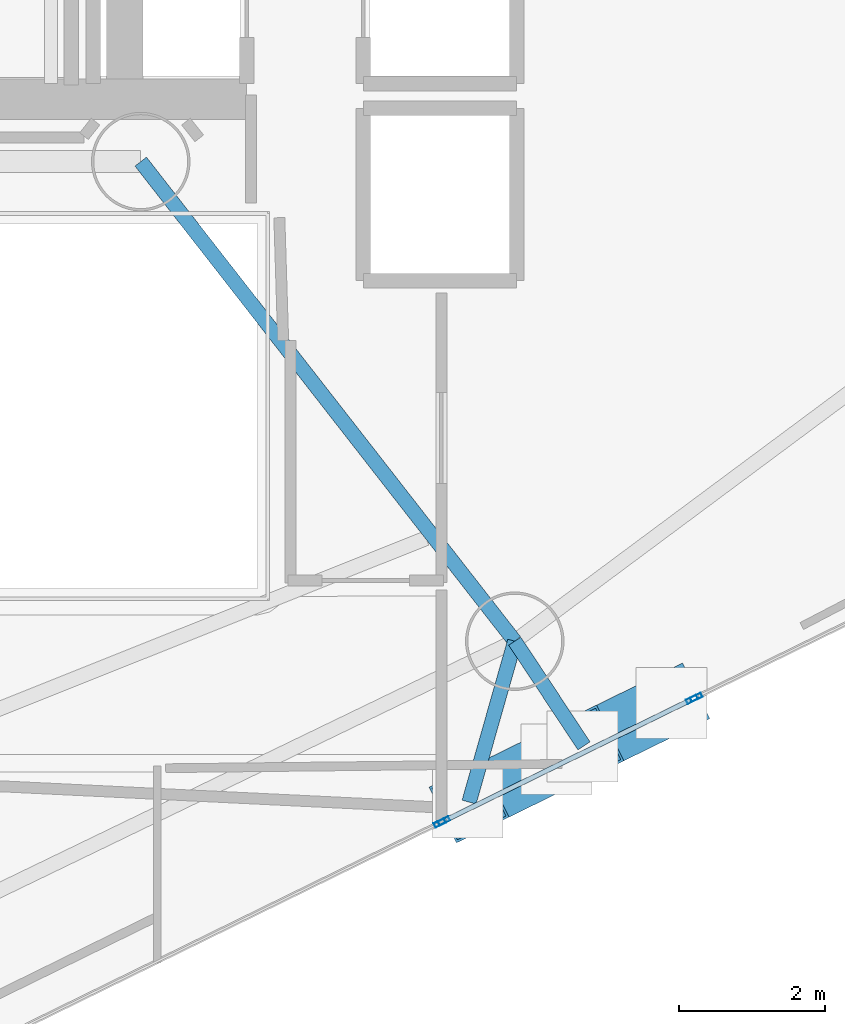
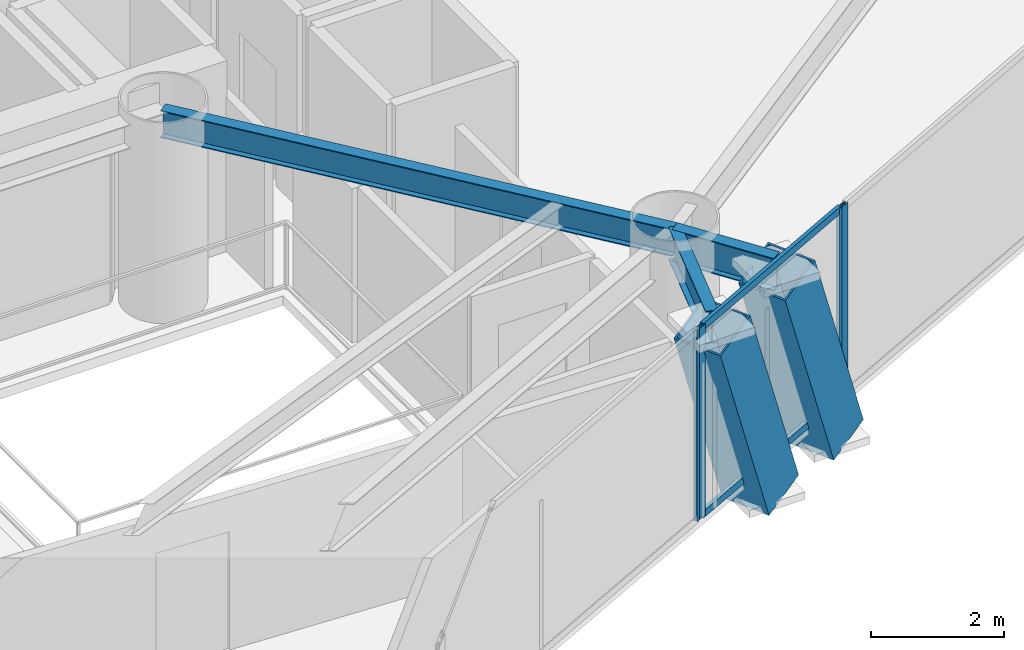
# One storey, part 6 of 22: 8 members, 3 beams, 3 elements without a shape of their own.
"""IFC4 building model written with IfcOpenShell, lengths in metres."""

from ifc_helpers import new_model, si_unit, direction, frame, origin, origin_2d, place, context, subcontext, project, spatial, hollow_rectangle, i_section, extrude, material, layer, layer_set, material_profile, profile_set, type_object, element, aggregate, save


model = new_model("IFC4")

# Units and contexts
model_context = context("Model", 3, precision=1e-05, world=origin(), true_north=direction((0.0, 1.0)))
body_context = subcontext(model_context, "Body", "Model", "MODEL_VIEW")
ifc_project = project(units=[si_unit("LENGTHUNIT", "METRE"), si_unit("AREAUNIT", "SQUARE_METRE"), si_unit("VOLUMEUNIT", "CUBIC_METRE"), si_unit("PLANEANGLEUNIT", "RADIAN"), si_unit("MASSUNIT", "GRAM", prefix="KILO")], contexts=[model_context])

# Site, building, storey
site_placement = place(None, origin())
site = spatial("IfcSite", under=ifc_project, at=site_placement, CompositionType="ELEMENT")
building_placement = place(site_placement, origin())
building = spatial("IfcBuilding", under=site, at=building_placement, Name="Qianvela Tower", CompositionType="ELEMENT")
storey_placement = place(building_placement, frame((0.0, 0.0, 158.699951171875)))
storey = spatial("IfcBuildingStorey", under=building, at=storey_placement, Name="L40", CompositionType="ELEMENT", Elevation=158.699951171875)

# Beams
ifc_material_1 = material(Name="Steel Q355B", Category="steel")
ifc_material_profile_1 = material_profile(ifc_material_1, i_section(OverallWidth=0.199951171875, OverallDepth=0.5, WebThickness=0.010009765625, FlangeThickness=0.01611328125, at=origin_2d()), Name="HN500x200x10x16")
ifc_profile_set_1 = profile_set([ifc_material_profile_1], Name="Steel Q355B")
beam_type_1 = type_object("IfcBeamType", Name="BM-HN500-GIRD", PredefinedType="BEAM", material=ifc_profile_set_1)
beam_1_placement = place(storey_placement, frame((38.39990234375, 23.85009765625, 3.26806640625), z_axis=(0.615000832816, -0.788526458424, 0.0), x_axis=(0.788526458424, 0.615000832816, 0.0)))
element("IfcBeam", 1, at=beam_1_placement, inside=storey, type_object=beam_type_1, Name="L40 Radial Primary Floor Girder 6", PredefinedType="BEAM", context=body_context, shape_type="SweptSolid", body=[
    extrude(i_section(OverallWidth=0.199951171875, OverallDepth=0.5, WebThickness=0.010009765625, FlangeThickness=0.01611328125, at=origin_2d()), origin(), (0.0, 0.0, 1.0), 8.333251953125),
])
ifc_material_2 = material(Name="Steel Q355B", Category="steel")
ifc_material_profile_2 = material_profile(ifc_material_2, i_section(OverallWidth=0.199951171875, OverallDepth=0.60009765625, WebThickness=0.010986328125, FlangeThickness=0.01708984375, at=origin_2d()), Name="HN600x200x11x17")
ifc_profile_set_2 = profile_set([ifc_material_profile_2], Name="Steel Q355B")
beam_type_2 = type_object("IfcBeamType", Name="BM-HN600-GIRD", PredefinedType="BEAM", material=ifc_profile_set_2)
beam_2_placement = place(storey_placement, frame((43.52490234375, 17.279052734375, 3.218017578125), z_axis=(-0.273116918416, -0.961980846418, 0.0), x_axis=(0.961980846418, -0.273116918416, 0.0)))
element("IfcBeam", 2, at=beam_2_placement, inside=storey, type_object=beam_type_2, Name="L40 Mega-Brace Column Tie Bracket F3-1", PredefinedType="BEAM", context=body_context, shape_type="SweptSolid", body=[
    extrude(i_section(OverallWidth=0.199951171875, OverallDepth=0.60009765625, WebThickness=0.010986328125, FlangeThickness=0.01708984375, at=origin_2d()), origin(), (0.0, 0.0, 1.0), 2.2919921875),
])
beam_3_placement = place(storey_placement, frame((43.52490234375, 17.279052734375, 3.218017578125), z_axis=(0.551548642493, -0.834142730571, 0.0), x_axis=(0.834142730571, 0.551548642493, 0.0)))
element("IfcBeam", 3, at=beam_3_placement, inside=storey, type_object=beam_type_2, Name="L40 Mega-Brace Column Tie Bracket F3-2", PredefinedType="BEAM", context=body_context, shape_type="SweptSolid", body=[
    extrude(i_section(OverallWidth=0.199951171875, OverallDepth=0.60009765625, WebThickness=0.010986328125, FlangeThickness=0.01708984375, at=origin_2d()), origin(), (0.0, 0.0, 1.0), 1.71826171875),
])

# Curtain wall, members
ifc_material_3 = material(Name="Anodised Architectural Aluminium and Insulated Spandrel Panel", Category="aluminium")
ifc_layer_1 = layer(ifc_material_3, 0.179931640625)
ifc_layer_set_1 = layer_set([ifc_layer_1], Name="Anodised Architectural Aluminium and Insulated Spandrel Panel")
curtain_wall_type_1 = type_object("IfcCurtainWallType", Name="CW-BRACEBAY", PredefinedType="USERDEFINED", material=ifc_layer_set_1)
curtain_wall_1_placement = place(storey_placement, origin())
curtain_wall_1 = element("IfcCurtainWall", 4, at=curtain_wall_1_placement, inside=storey, type_object=curtain_wall_type_1, Name="L40 CW-BRACEBAY Curtain Wall 06B", ObjectType="CURTAIN_WALL_SYSTEM", PredefinedType="USERDEFINED")
ifc_material_4 = material(Name="Anodised Architectural Aluminium 6063-T6", Category="aluminium")
ifc_material_profile_3 = material_profile(ifc_material_4, hollow_rectangle(XDim=0.06494140625, YDim=0.159912109375, WallThickness=0.0048828125, at=origin_2d()), Name="ALU-MULL-65x160")
ifc_profile_set_3 = profile_set([ifc_material_profile_3], Name="Anodised Architectural Aluminium 6063-T6")
member_type_1 = type_object("IfcMemberType", Name="CW-BRACEBAY-MULL", PredefinedType="MULLION", material=ifc_profile_set_3)
member_1_placement = place(storey_placement, frame((42.55517578125, 14.816650390625, 0.0), z_axis=(0.0, 0.0, 1.0), x_axis=(-0.440155574517, 0.897921527875, 0.0)))
member_1 = element("IfcMember", 5, at=member_1_placement, type_object=member_type_1, Name="CW-9 mullion 1", PredefinedType="MULLION", context=body_context, shape_type="SweptSolid", body=[
    extrude(hollow_rectangle(XDim=0.06494140625, YDim=0.159912109375, WallThickness=0.0048828125, at=origin_2d()), origin(), (0.0, 0.0, 1.0), 3.52001953125),
])
member_2_placement = place(storey_placement, frame((45.953857421875, 16.482666015625, 0.0), z_axis=(0.0, 0.0, 1.0), x_axis=(-0.440155574517, 0.897921527875, 0.0)))
member_2 = element("IfcMember", 6, at=member_2_placement, type_object=member_type_1, Name="CW-9 mullion 2", PredefinedType="MULLION", context=body_context, shape_type="SweptSolid", body=[
    extrude(hollow_rectangle(XDim=0.06494140625, YDim=0.159912109375, WallThickness=0.0048828125, at=origin_2d()), origin(), (0.0, 0.0, 1.0), 3.52001953125),
])
ifc_material_5 = material(Name="Anodised Architectural Aluminium 6063-T6", Category="aluminium")
ifc_material_profile_4 = material_profile(ifc_material_5, hollow_rectangle(XDim=0.06494140625, YDim=0.1298828125, WallThickness=0.00439453125, at=origin_2d()), Name="ALU-TRAN-65x130")
ifc_profile_set_4 = profile_set([ifc_material_profile_4], Name="Anodised Architectural Aluminium 6063-T6")
member_type_2 = type_object("IfcMemberType", Name="CW-BRACEBAY-TRAN", PredefinedType="USERDEFINED", material=ifc_profile_set_4)
member_3_placement = place(storey_placement, frame((42.58447265625, 14.830810546875, 0.032470703125), z_axis=(0.897917162613, 0.440164479582, 0.0), x_axis=(-0.440164479582, 0.897917162613, 0.0)))
member_3 = element("IfcMember", 7, at=member_3_placement, type_object=member_type_2, Name="CW-9 transom 1.1", ObjectType="TRANSOM", PredefinedType="USERDEFINED", context=body_context, shape_type="SweptSolid", body=[
    extrude(hollow_rectangle(XDim=0.06494140625, YDim=0.1298828125, WallThickness=0.00439453125, at=origin_2d()), origin(), (0.0, 0.0, 1.0), 3.719970703125),
])
member_4_placement = place(storey_placement, frame((42.58447265625, 14.830810546875, 3.487548828125), z_axis=(0.897917162613, 0.440164479582, 0.0), x_axis=(-0.440164479582, 0.897917162613, 0.0)))
member_4 = element("IfcMember", 8, at=member_4_placement, type_object=member_type_2, Name="CW-9 transom 1.2", ObjectType="TRANSOM", PredefinedType="USERDEFINED", context=body_context, shape_type="SweptSolid", body=[
    extrude(hollow_rectangle(XDim=0.06494140625, YDim=0.1298828125, WallThickness=0.00439453125, at=origin_2d()), origin(), (0.0, 0.0, 1.0), 3.719970703125),
])
aggregate(curtain_wall_1, [member_1, member_2, member_3, member_4])

# Curtain wall, member
ifc_material_6 = material(Name="Anodised Architectural Aluminium and Low-E Glass", Category="aluminium")
ifc_layer_2 = layer(ifc_material_6, 0.169921875)
ifc_layer_set_2 = layer_set([ifc_layer_2], Name="Anodised Architectural Aluminium and Low-E Glass")
curtain_wall_type_2 = type_object("IfcCurtainWallType", Name="CW-COLIV-Z34", PredefinedType="USERDEFINED", material=ifc_layer_set_2)
curtain_wall_2_placement = place(storey_placement, origin())
curtain_wall_2 = element("IfcCurtainWall", 9, at=curtain_wall_2_placement, inside=storey, type_object=curtain_wall_type_2, Name="L40 CW-COLIV-Z34 Curtain Wall 06A", ObjectType="CURTAIN_WALL_SYSTEM", PredefinedType="USERDEFINED")
ifc_material_7 = material(Name="Anodised Architectural Aluminium 6063-T6", Category="aluminium")
ifc_material_profile_5 = material_profile(ifc_material_7, hollow_rectangle(XDim=0.06494140625, YDim=0.159912109375, WallThickness=0.0048828125, at=origin_2d()), Name="ALU-MULL-65x160")
ifc_profile_set_5 = profile_set([ifc_material_profile_5], Name="Anodised Architectural Aluminium 6063-T6")
member_type_3 = type_object("IfcMemberType", Name="CW-COLIV-Z34-MULL", PredefinedType="MULLION", material=ifc_profile_set_5)
member_5_placement = place(storey_placement, frame((42.496826171875, 14.7880859375, 0.0), z_axis=(0.0, 0.0, 1.0), x_axis=(-0.440143357268, 0.897927516592, 0.0)))
member_5 = element("IfcMember", 10, at=member_5_placement, type_object=member_type_3, Name="CW-4 mullion 3", PredefinedType="MULLION", context=body_context, shape_type="SweptSolid", body=[
    extrude(hollow_rectangle(XDim=0.06494140625, YDim=0.159912109375, WallThickness=0.0048828125, at=origin_2d()), origin(), (0.0, 0.0, 1.0), 3.52001953125),
])
aggregate(curtain_wall_2, [member_5])

curtain_wall_3_placement = place(storey_placement, origin())
curtain_wall_3 = element("IfcCurtainWall", 11, at=curtain_wall_3_placement, inside=storey, type_object=curtain_wall_type_2, Name="L40 CW-COLIV-Z34 Curtain Wall 06C", ObjectType="CURTAIN_WALL_SYSTEM", PredefinedType="USERDEFINED")
member_6_placement = place(storey_placement, frame((46.01220703125, 16.51123046875, 0.0), z_axis=(0.0, 0.0, 1.0), x_axis=(-0.44014326681, 0.897927560932, 0.0)))
member_6 = element("IfcMember", 12, at=member_6_placement, type_object=member_type_3, Name="CW-4 mullion 1", PredefinedType="MULLION", context=body_context, shape_type="SweptSolid", body=[
    extrude(hollow_rectangle(XDim=0.06494140625, YDim=0.159912109375, WallThickness=0.0048828125, at=origin_2d()), origin(), (0.0, 0.0, 1.0), 3.52001953125),
])
aggregate(curtain_wall_3, [member_6])

# Members
ifc_material_8 = material(Name="Steel Q420GJC", Category="steel")
ifc_material_profile_6 = material_profile(ifc_material_8, hollow_rectangle(XDim=0.85009765625, YDim=0.85009765625, WallThickness=0.031982421875, at=origin_2d()), Name="MBOX-850x850x32")
ifc_profile_set_6 = profile_set([ifc_material_profile_6], Name="Steel Q420GJC")
member_type_4 = type_object("IfcMemberType", Name="MBR-MBRACE-850", PredefinedType="BRACE", material=ifc_profile_set_6)
for number, where, z_axis, x_axis, name in (
    (13, (44.07763671875, 15.65185546875, -0.48193359375), (-0.300239951765, -0.147134988789, 0.942447487364), (0.440057242115, -0.897969723132, 0.0), "L40 Tier 6 Exterior Mega-Brace F3A"),
    (14, (45.6513671875, 16.42333984375, -0.48193359375), (-0.300239951765, -0.147134988789, 0.942447487364), (0.440057242115, -0.897969723132, 0.0), "L40 Tier 6 Exterior Mega-Brace F3B"),
):
    element("IfcMember", number, at=place(storey_placement, frame(where, z_axis=z_axis, x_axis=x_axis)), inside=storey, type_object=member_type_4, Name=name, PredefinedType="BRACE", context=body_context, shape_type="SweptSolid", body=[
        extrude(hollow_rectangle(XDim=0.85009765625, YDim=0.85009765625, WallThickness=0.031982421875, at=origin_2d()), origin(), (0.0, 0.0, 1.0), 3.92578125),
    ])

save(model, "model.ifc")
